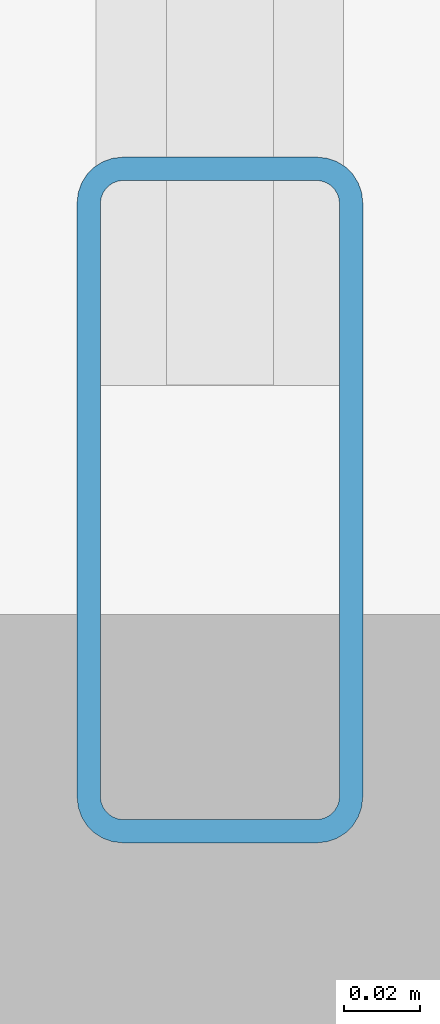
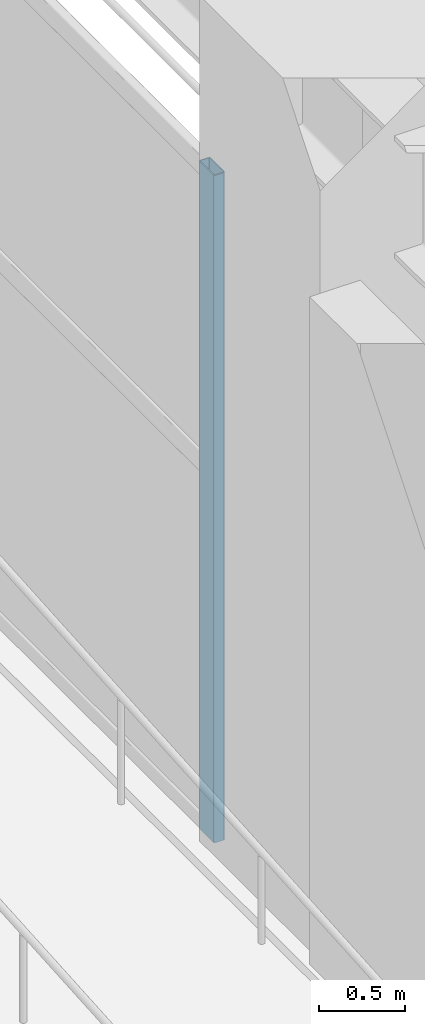
# One storey, part 5 of 31: 1 member, 1 element without a shape of its own.
"""IFC4 building model written with IfcOpenShell, lengths in metres."""

import ifcopenshell
import ifcopenshell.guid

model = None  # the IFC model being written
_history = None  # IfcOwnerHistory: only IFC2X3 demands one
_inside = {}  # id of a spatial element -> (the spatial element, [elements in it])
_under = {}  # id of a project, library or spatial element -> (it, [spatial elements below it])
_declared = {}  # id of a project -> (the project, [libraries it declares])
_typed = {}  # id of a type object -> (the type object, [elements of that type])
_made_of = {}  # id of a material, layer set ... -> (it, [elements and type objects made of it])


def new_model(schema):
    """Start an empty IFC model of exactly this schema.

    Asked for "IFC4X3", IfcOpenShell would pick the latest addendum, in which some entities
    have other attributes; the version numbers below select the first issue.
    IFC2X3 requires an IfcOwnerHistory on every rooted entity: one is made here for all.
    """
    global model, _history
    if schema == "IFC4X3":
        model = ifcopenshell.file(schema_version=(4, 3, 0, 0))
    else:
        model = ifcopenshell.file(schema=schema)
    _inside.clear()
    _under.clear()
    _declared.clear()
    _typed.clear()
    _made_of.clear()
    _history = None
    if model.schema == "IFC2X3":
        org = make("IfcOrganization", Name="unknown")
        user = make(
            "IfcPersonAndOrganization",
            ThePerson=make("IfcPerson", FamilyName="unknown"),
            TheOrganization=org,
        )
        app = make(
            "IfcApplication",
            ApplicationDeveloper=org,
            Version="unknown",
            ApplicationFullName="unknown",
            ApplicationIdentifier="unknown",
        )
        _history = make(
            "IfcOwnerHistory",
            OwningUser=user,
            OwningApplication=app,
            ChangeAction="ADDED",
            CreationDate=0,
        )
    return model


def make(cls, **values):
    """One entity of the class cls with the attributes given. An attribute that is None is left unset."""
    return model.create_entity(
        cls, **{name: value for name, value in values.items() if value is not None}
    )


def rooted(cls, **values):
    """An entity with a GlobalId (a new one), such as an element, a storey or a relation."""
    return make(cls, GlobalId=ifcopenshell.guid.new(), OwnerHistory=_history, **values)


def si_unit(unit_type, name, prefix=None):
    """IfcSIUnit, for example si_unit("LENGTHUNIT", "METRE", prefix="MILLI")."""
    return make("IfcSIUnit", UnitType=unit_type, Prefix=prefix, Name=name)


def assignment(units):
    """IfcUnitAssignment: the units of a project."""
    return None if units is None else make("IfcUnitAssignment", Units=units)


def point(xyz):
    """IfcCartesianPoint."""
    return None if xyz is None else make("IfcCartesianPoint", Coordinates=xyz)


def direction(xyz):
    """IfcDirection."""
    return None if xyz is None else make("IfcDirection", DirectionRatios=xyz)


def frame(location, z_axis=None, x_axis=None):
    """IfcAxis2Placement3D, a coordinate frame: its origin and axes. An axis left out is left unset."""
    return make(
        "IfcAxis2Placement3D",
        Location=point(location),
        Axis=direction(z_axis),
        RefDirection=direction(x_axis),
    )


def frame_2d(location, x_axis=None):
    """IfcAxis2Placement2D, a coordinate frame in the plane: its origin and x axis."""
    return make(
        "IfcAxis2Placement2D", Location=point(location), RefDirection=direction(x_axis)
    )


def origin():
    """The frame at (0, 0, 0) with its axes left unset."""
    return frame((0.0, 0.0, 0.0))


def origin_2d():
    """The frame at (0, 0) in the plane with its x axis left unset."""
    return frame_2d((0.0, 0.0))


def place(relative_to, where):
    """IfcLocalPlacement: puts the frame where relative to a parent placement (None: the world)."""
    return make(
        "IfcLocalPlacement", PlacementRelTo=relative_to, RelativePlacement=where
    )


def context(
    kind, dimensions, precision=None, world=None, true_north=None, identifier=None
):
    """IfcGeometricRepresentationContext, for example the 3D "Model" context."""
    return make(
        "IfcGeometricRepresentationContext",
        ContextIdentifier=identifier,
        ContextType=kind,
        CoordinateSpaceDimension=dimensions,
        Precision=precision,
        WorldCoordinateSystem=world,
        TrueNorth=true_north,
    )


def subcontext(parent, identifier, kind, view, scale=None):
    """IfcGeometricRepresentationSubContext, for example "Body" below "Model"."""
    return make(
        "IfcGeometricRepresentationSubContext",
        ContextIdentifier=identifier,
        ContextType=kind,
        ParentContext=parent,
        TargetScale=scale,
        TargetView=view,
    )


def project(units=None, contexts=None):
    """IfcProject with its units and contexts."""
    return rooted(
        "IfcProject",
        Name="project",
        RepresentationContexts=contexts,
        UnitsInContext=assignment(units),
    )


def spatial(cls, under=None, at=None, **own):
    """A site, building, storey or space (cls), placed at a placement, below another one or the project."""
    s = rooted(cls, ObjectPlacement=at, **own)
    if under is not None:
        _under.setdefault(under.id(), (under, []))[1].append(s)
    return s


def profile(cls, at=None, kind="AREA", **sizes):
    """A parametric profile (cls). Its sizes go by their IFC names, for example OverallWidth=200.0."""
    return make(cls, ProfileType=kind, Position=at, **sizes)


def hollow_rectangle(**sizes):
    """IfcRectangleHollowProfileDef."""
    return profile("IfcRectangleHollowProfileDef", **sizes)


def extrude(swept, where, along, depth):
    """IfcExtrudedAreaSolid: the profile swept, set in the frame where, extruded along a direction by depth."""
    return make(
        "IfcExtrudedAreaSolid",
        SweptArea=swept,
        Position=where,
        ExtrudedDirection=direction(along),
        Depth=depth,
    )


def shape(context_of_items, identifier, shape_type, items):
    """IfcShapeRepresentation: the items that make up one representation, for example the "Body"."""
    return make(
        "IfcShapeRepresentation",
        ContextOfItems=context_of_items,
        RepresentationIdentifier=identifier,
        RepresentationType=shape_type,
        Items=items,
    )


def material(Name=None, Category=None):
    """IfcMaterial."""
    return make("IfcMaterial", Name=Name, Category=Category)


def layer(
    of_material, thickness, ventilated=None, Name=None, Category=None, Priority=None
):
    """IfcMaterialLayer: one layer of a wall or slab, of a material (None: an air gap)."""
    return make(
        "IfcMaterialLayer",
        Material=of_material,
        LayerThickness=thickness,
        IsVentilated=ventilated,
        Name=Name,
        Category=Category,
        Priority=Priority,
    )


def layer_set(layers, Name=None):
    """IfcMaterialLayerSet."""
    return make("IfcMaterialLayerSet", MaterialLayers=layers, LayerSetName=Name)


def material_profile(
    of_material, cross_section, Name=None, Category=None, Priority=None
):
    """IfcMaterialProfile: a cross section and its material."""
    return make(
        "IfcMaterialProfile",
        Name=Name,
        Material=of_material,
        Profile=cross_section,
        Priority=Priority,
        Category=Category,
    )


def profile_set(profiles, Name=None, composite=None):
    """IfcMaterialProfileSet."""
    return make(
        "IfcMaterialProfileSet",
        Name=Name,
        MaterialProfiles=profiles,
        CompositeProfile=composite,
    )


def made_of(thing, what):
    """Note that an element or type object is made of a material, layer set ...; save() writes the relation."""
    if what is not None:
        _made_of.setdefault(what.id(), (what, []))[1].append(thing)
    return thing


def type_object(cls, material=None, **own):
    """A type object (cls), such as IfcWallType, which elements share."""
    return made_of(rooted(cls, **own), material)


def element(
    cls,
    number,
    at=None,
    inside=None,
    cuts=None,
    type_object=None,
    material=None,
    context=None,
    identifier="Body",
    shape_type=None,
    held_by="IfcProductDefinitionShape",
    body=None,
    shapes=None,
    **own,
):
    """One element of the class cls, such as IfcWall. Its Tag is "e" and its number.

    at: its placement. inside: the storey or other place that contains it. cuts: it is an
    opening in that element (IfcRelVoidsElement). A single representation is given by context,
    identifier, shape_type and body (its items); several are given by shapes. held_by: the class
    of the entity that holds the representations. save() writes the other relations.
    """
    e = rooted(cls, Tag="e%d" % number, ObjectPlacement=at, **own)
    if body is not None:
        shapes = [shape(context, identifier, shape_type, body)]
    if shapes is not None:
        e.Representation = make(held_by, Representations=shapes)
    if inside is not None:
        _inside.setdefault(inside.id(), (inside, []))[1].append(e)
    if cuts is not None:
        rooted(
            "IfcRelVoidsElement", RelatingBuildingElement=cuts, RelatedOpeningElement=e
        )
    if type_object is not None:
        _typed.setdefault(type_object.id(), (type_object, []))[1].append(e)
    return made_of(e, material)


def aggregate(whole, parts):
    """IfcRelAggregates: a whole, such as a stair, and the parts it consists of."""
    return rooted("IfcRelAggregates", RelatingObject=whole, RelatedObjects=parts)


def save(model, path):
    """Write the relations noted so far, then the file.

    IfcRelAggregates (storeys below a building ...), IfcRelContainedInSpatialStructure (elements
    in a storey), IfcRelDefinesByType, IfcRelAssociatesMaterial and IfcRelDeclares: one each for
    every whole, place, type object, material and project.
    """
    for whole, parts in _under.values():
        aggregate(whole, parts)
    for where, things in _inside.values():
        rooted(
            "IfcRelContainedInSpatialStructure",
            RelatedElements=things,
            RelatingStructure=where,
        )
    for kind, things in _typed.values():
        rooted("IfcRelDefinesByType", RelatedObjects=things, RelatingType=kind)
    for what, things in _made_of.values():
        rooted("IfcRelAssociatesMaterial", RelatedObjects=things, RelatingMaterial=what)
    for by, libraries in _declared.values():
        rooted("IfcRelDeclares", RelatingContext=by, RelatedDefinitions=libraries)
    model.write(path)


model = new_model("IFC4")

# Units and contexts
model_context = context("Model", 3, precision=1e-05, world=origin(), true_north=direction((0.0, 1.0)))
body_context = subcontext(model_context, "Body", "Model", "MODEL_VIEW")
ifc_project = project(units=[si_unit("LENGTHUNIT", "METRE"), si_unit("AREAUNIT", "SQUARE_METRE"), si_unit("VOLUMEUNIT", "CUBIC_METRE"), si_unit("PLANEANGLEUNIT", "RADIAN"), si_unit("MASSUNIT", "GRAM", prefix="KILO")], contexts=[model_context])

# Site, building, storey
site_placement = place(None, origin())
site = spatial("IfcSite", under=ifc_project, at=site_placement, CompositionType="ELEMENT")
building_placement = place(site_placement, origin())
building = spatial("IfcBuilding", under=site, at=building_placement, Name="Soratama Intermodal Tower", CompositionType="ELEMENT")
storey_placement = place(building_placement, origin())
storey = spatial("IfcBuildingStorey", under=building, at=storey_placement, Name="L00", CompositionType="ELEMENT", Elevation=0.0)

# Curtain wall, member
ifc_material_1 = material(Name="Double-glazed aluminium curtain wall", Category="aluminium")
ifc_layer = layer(ifc_material_1, 0.159912109375)
ifc_layer_set = layer_set([ifc_layer], Name="Double-glazed aluminium curtain wall")
curtain_wall_type = type_object("IfcCurtainWallType", Name="CW-SYS-1", PredefinedType="NOTDEFINED", material=ifc_layer_set)
curtain_wall_placement = place(storey_placement, origin())
curtain_wall = element("IfcCurtainWall", 1, at=curtain_wall_placement, inside=storey, type_object=curtain_wall_type, Name="L00 Station Curtain Wall W1", PredefinedType="NOTDEFINED")
ifc_material_2 = material(Name="Anodised aluminium AA 6063-T6", Category="aluminium")
ifc_material_profile = material_profile(ifc_material_2, hollow_rectangle(XDim=0.074951171875, YDim=0.179931640625, WallThickness=0.006103515625, InnerFilletRadius=0.006103515625, OuterFilletRadius=0.011962890625, at=origin_2d()), Name="CWM180X75X6")
ifc_profile_set = profile_set([ifc_material_profile], Name="Anodised aluminium AA 6063-T6")
member_type = type_object("IfcMemberType", Name="MT-CWM-1", PredefinedType="MULLION", material=ifc_profile_set)
member_placement = place(storey_placement, frame((0.199951171875, 15.72998046875, 0.0), z_axis=(0.0, 0.0, 1.0), x_axis=(-1.0, 0.0, 0.0)))
member = element("IfcMember", 2, at=member_placement, type_object=member_type, Name="CW-1 mullion 1", PredefinedType="MULLION", context=body_context, shape_type="SweptSolid", body=[
    extrude(hollow_rectangle(XDim=0.074951171875, YDim=0.179931640625, WallThickness=0.006103515625, InnerFilletRadius=0.006103515625, OuterFilletRadius=0.011962890625, at=origin_2d()), origin(), (0.0, 0.0, 1.0), 4.736083984375),
])
aggregate(curtain_wall, [member])

save(model, "model.ifc")
